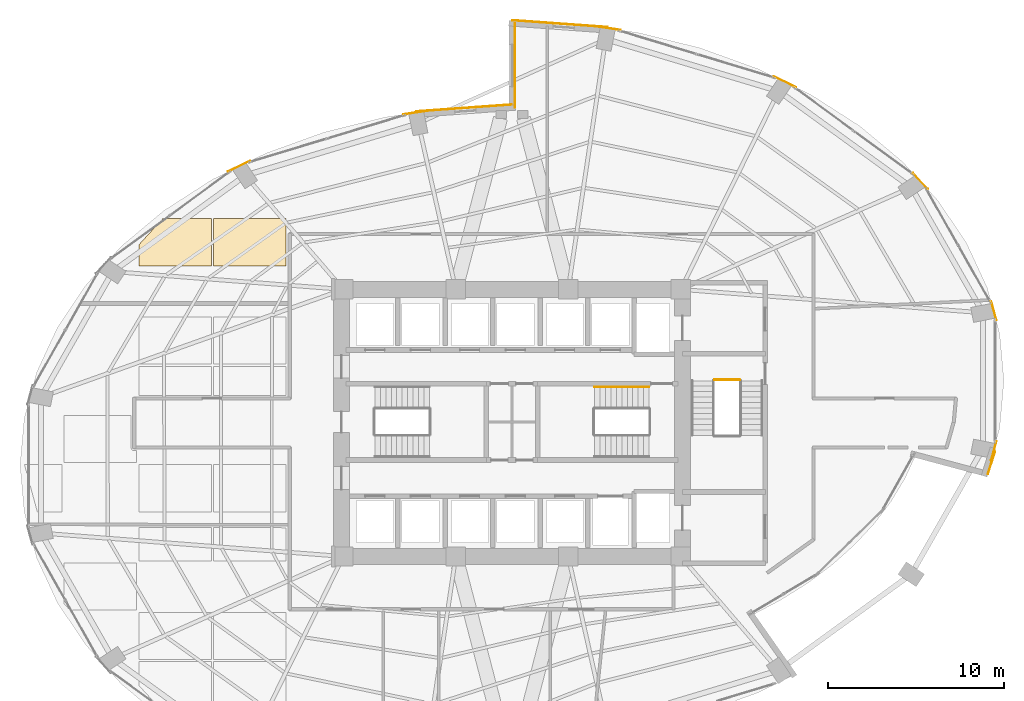
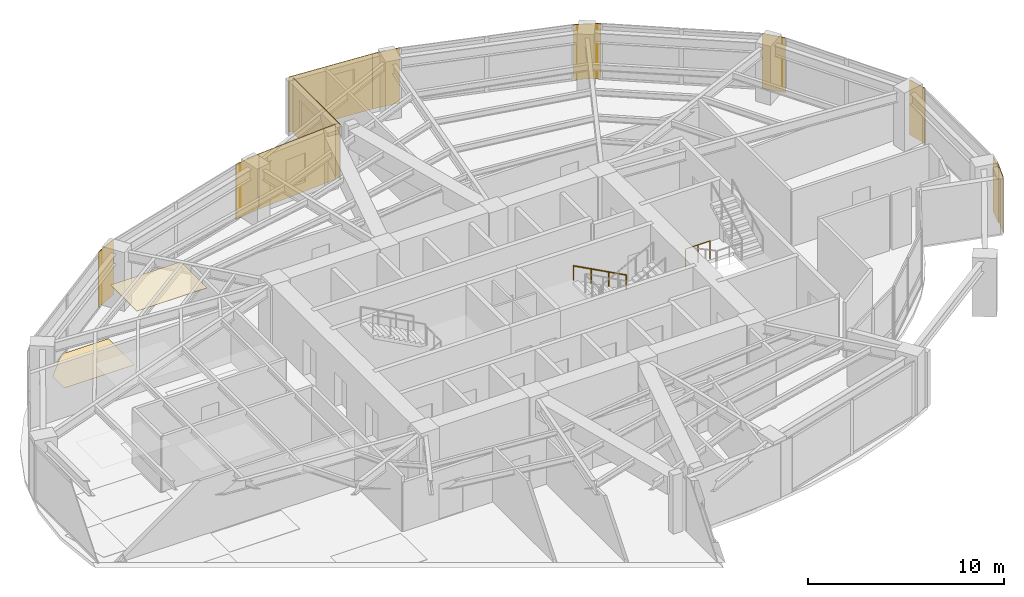
# One storey, part 24 of 24: 13 coverings, 2 railings.
"""IFC4 building model written with IfcOpenShell, lengths in metres."""

from ifc_helpers import new_model, si_unit, direction, frame, origin, origin_2d, place, context, subcontext, project, spatial, polyline, rectangle, circle, outline, extrude, material, layer, layer_set, type_object, element, save


model = new_model("IFC4")

# Units and contexts
model_context = context("Model", 3, precision=1e-05, world=origin(), true_north=direction((0.0, 1.0)))
body_context = subcontext(model_context, "Body", "Model", "MODEL_VIEW")
ifc_project = project(units=[si_unit("LENGTHUNIT", "METRE"), si_unit("AREAUNIT", "SQUARE_METRE"), si_unit("VOLUMEUNIT", "CUBIC_METRE"), si_unit("PLANEANGLEUNIT", "RADIAN"), si_unit("MASSUNIT", "GRAM", prefix="KILO")], contexts=[model_context])

# Site, building, storey
site_placement = place(None, origin())
site = spatial("IfcSite", under=ifc_project, at=site_placement, CompositionType="ELEMENT")
building_placement = place(site_placement, origin())
building = spatial("IfcBuilding", under=site, at=building_placement, Name="Lazwardi Medical Tower", CompositionType="ELEMENT")
storey_placement = place(building_placement, frame((0.0, 0.0, 61.679931640625)))
storey = spatial("IfcBuildingStorey", under=building, at=storey_placement, Name="L15", CompositionType="ELEMENT", Elevation=61.679931640625)

# Coverings
ifc_material_1 = material(Name="Anodised bronze aluminium cassette cladding", Category="aluminium")
ifc_layer_1 = layer(ifc_material_1, 0.030029296875)
ifc_layer_set_1 = layer_set([ifc_layer_1], Name="Anodised bronze aluminium cassette cladding")
covering_type_1 = type_object("IfcCoveringType", Name="COV-CLD-BRZ", PredefinedType="CLADDING", material=ifc_layer_set_1)
for number, where, z_axis, x_axis, name in (
    (1, (63.420654296875, 26.408203125, 0.0), (0.0, 0.0, 1.0), (0.262283496593, 0.964990863902, 0.0), "L15 Mega-column bronze cassette cover M04"),
    (2, (63.420654296875, 34.3916015625, 0.0), (0.0, 0.0, 1.0), (-0.262283496593, 0.964990863902, 0.0), "L15 Mega-column bronze cassette cover M05"),
):
    element("IfcCovering", number, at=place(storey_placement, frame(where, z_axis=z_axis, x_axis=x_axis)), inside=storey, type_object=covering_type_1, Name=name, PredefinedType="CLADDING", context=body_context, shape_type="SweptSolid", body=[
        extrude(rectangle(XDim=1.12548828125, YDim=0.030029296875, at=origin_2d()), origin(), (0.0, 0.0, 1.0), 3.427978515625),
    ])
covering_1_placement = place(storey_placement, frame((59.24609375, 41.767333984375, 0.0), z_axis=(0.0, 0.0, 1.0), x_axis=(-0.674252120961, 0.738501237223, 0.0)))
element("IfcCovering", 3, at=covering_1_placement, inside=storey, type_object=covering_type_1, Name="L15 Mega-column bronze cassette cover M06", PredefinedType="CLADDING", context=body_context, shape_type="SweptSolid", body=[
    extrude(rectangle(XDim=1.24658203125, YDim=0.030029296875, at=origin_2d()), origin(), (0.0, 0.0, 1.0), 3.427978515625),
])
covering_2_placement = place(storey_placement, frame((51.532470703125, 47.412353515625, 0.0), z_axis=(0.0, 0.0, 1.0), x_axis=(-0.898334492373, 0.439312121178, 0.0)))
element("IfcCovering", 4, at=covering_2_placement, inside=storey, type_object=covering_type_1, Name="L15 Mega-column bronze cassette cover M07", PredefinedType="CLADDING", context=body_context, shape_type="SweptSolid", body=[
    extrude(rectangle(XDim=1.400390625, YDim=0.030029296875, at=origin_2d()), origin(), (0.0, 0.0, 1.0), 3.427978515625),
])
for number, where, z_axis, x_axis, name in (
    (5, (41.454345703125, 50.46728515625, 0.0), (0.0, 0.0, 1.0), (-0.98957259946, 0.144034962415, 0.0), "L15 Mega-column bronze cassette cover M08"),
    (6, (30.545654296875, 45.66748046875, 0.0), (0.0, 0.0, 1.0), (-0.98957259946, -0.144034962415, 0.0), "L15 Mega-column bronze cassette cover M09"),
):
    element("IfcCovering", number, at=place(storey_placement, frame(where, z_axis=z_axis, x_axis=x_axis)), inside=storey, type_object=covering_type_1, Name=name, PredefinedType="CLADDING", context=body_context, shape_type="SweptSolid", body=[
        extrude(rectangle(XDim=1.49951171875, YDim=0.030029296875, at=origin_2d()), origin(), (0.0, 0.0, 1.0), 3.427978515625),
    ])
covering_3_placement = place(storey_placement, frame((20.467529296875, 42.6123046875, 0.0), z_axis=(0.0, 0.0, 1.0), x_axis=(-0.898334492373, -0.439312121178, 0.0)))
element("IfcCovering", 7, at=covering_3_placement, inside=storey, type_object=covering_type_1, Name="L15 Mega-column bronze cassette cover M10", PredefinedType="CLADDING", context=body_context, shape_type="SweptSolid", body=[
    extrude(rectangle(XDim=1.400390625, YDim=0.030029296875, at=origin_2d()), origin(), (0.0, 0.0, 1.0), 3.427978515625),
])
ifc_material_2 = material(Name="Turquoise glazed ceramic tilework cladding", Category="masonry")
ifc_layer_2 = layer(ifc_material_2, 0.034912109375)
ifc_layer_set_2 = layer_set([ifc_layer_2], Name="Turquoise glazed ceramic tilework cladding")
covering_type_2 = type_object("IfcCoveringType", Name="COV-CLD-TRQ", PredefinedType="CLADDING", material=ifc_layer_set_2)
covering_4_placement = place(storey_placement, frame((38.728271484375, 50.719482421875, 0.0), z_axis=(0.0, 0.0, 1.0), x_axis=(-0.997421404513, 0.071767275412, 0.0)))
element("IfcCovering", 8, at=covering_4_placement, inside=storey, type_object=covering_type_2, Name="L15 Turquoise glazed ceramic tilework cladding", PredefinedType="CLADDING", context=body_context, shape_type="SweptSolid", body=[
    extrude(rectangle(XDim=5.4453125, YDim=0.034912109375, at=origin_2d()), origin(), (0.0, 0.0, 1.0), 3.427978515625),
])
covering_5_placement = place(storey_placement, frame((33.271484375, 45.919677734375, 0.0), z_axis=(0.0, 0.0, 1.0), x_axis=(-0.997420903458, -0.071774238726, 0.0)))
element("IfcCovering", 9, at=covering_5_placement, inside=storey, type_object=covering_type_2, Name="L15 Turquoise glazed ceramic tilework cladding", PredefinedType="CLADDING", context=body_context, shape_type="SweptSolid", body=[
    extrude(rectangle(XDim=5.44482421875, YDim=0.034912109375, at=origin_2d()), origin(), (0.0, 0.0, 1.0), 3.427978515625),
])
covering_6_placement = place(storey_placement, frame((36.175537109375, 48.340087890625, 0.0), z_axis=(0.0, 0.0, 1.0), x_axis=(0.0, -1.0, 0.0)))
element("IfcCovering", 10, at=covering_6_placement, inside=storey, type_object=covering_type_2, Name="L15 Turquoise glazed ceramic tilework iwan panel", PredefinedType="CLADDING", context=body_context, shape_type="SweptSolid", body=[
    extrude(rectangle(XDim=4.800048828125, YDim=0.034912109375, at=origin_2d()), origin(), (0.0, 0.0, 1.0), 3.427978515625),
])
covering_7_placement = place(storey_placement, frame((63.284912109375, 25.725830078125, 0.0), z_axis=(0.0, 0.0, 1.0), x_axis=(0.303954912629, 0.952686418025, 0.0)))
element("IfcCovering", 11, at=covering_7_placement, inside=storey, type_object=covering_type_2, Name="L15 Turquoise glazed ceramic tilework cladding", PredefinedType="CLADDING", context=body_context, shape_type="SweptSolid", body=[
    extrude(rectangle(XDim=1.362060546875, YDim=0.034912109375, at=origin_2d()), origin(), (0.0, 0.0, 1.0), 3.427978515625),
])
ifc_material_3 = material(Name="Acoustic mineral fibre tile")
ifc_layer_3 = layer(ifc_material_3, 0.02490234375)
ifc_layer_set_3 = layer_set([ifc_layer_3], Name="Acoustic mineral fibre tile")
covering_type_3 = type_object("IfcCoveringType", Name="COV-CLG-01", PredefinedType="CEILING", material=ifc_layer_set_3)
covering_8_placement = place(storey_placement, frame((0.0, 0.0, 3.282958984375)))
element("IfcCovering", 12, at=covering_8_placement, inside=storey, type_object=covering_type_3, Name="L15 Clinical Acoustic Ceiling 9", PredefinedType="CEILING", context=body_context, shape_type="SweptSolid", body=[
    extrude(outline(polyline([(23.142822265625, 36.9423828125), (23.142822265625, 39.62255859375), (19.012939453125, 39.62255859375), (19.012939453125, 36.9423828125), (23.142822265625, 36.9423828125)])), origin(), (0.0, 0.0, 1.0), 0.025146484375),
])
ifc_material_4 = material(Name="Anti-static hospital vinyl sheet flooring")
ifc_layer_4 = layer(ifc_material_4, 0.014892578125)
ifc_layer_set_4 = layer_set([ifc_layer_4], Name="Anti-static hospital vinyl sheet flooring")
covering_type_4 = type_object("IfcCoveringType", Name="COV-FLR-01", PredefinedType="FLOORING", material=ifc_layer_set_4)
covering_9_placement = place(storey_placement, origin())
element("IfcCovering", 13, at=covering_9_placement, inside=storey, type_object=covering_type_4, Name="L15 Clinical Vinyl Flooring 7", PredefinedType="FLOORING", context=body_context, shape_type="SweptSolid", body=[
    extrude(outline(polyline([(16.120361328125, 39.62255859375), (14.762939453125, 38.138671875), (14.762939453125, 36.9423828125), (18.892822265625, 36.9423828125), (18.892822265625, 39.62255859375), (16.120361328125, 39.62255859375)])), origin(), (0.0, 0.0, 1.0), 0.01513671875),
])

# Railings
ifc_material_5 = material(Name="Stainless steel Grade 316", Category="steel")
railing_type_1 = type_object("IfcRailingType", Name="RLG-GRD-1150", PredefinedType="GUARDRAIL", material=ifc_material_5)
railing_1_placement = place(storey_placement, frame((47.52001953125, 30.449951171875, 0.0)))
element("IfcRailing", 14, at=railing_1_placement, inside=storey, type_object=railing_type_1, Name="L15 ST3 stair guard 4", PredefinedType="GUARDRAIL", context=body_context, shape_type="SweptSolid", body=[
    extrude(circle(Radius=0.02392578125, at=origin_2d()), frame((0.0, 0.0, 1.1259765625), z_axis=(1.0, 0.0, 0.0), x_axis=(0.0, 1.0, 0.0)), (0.0, 0.0, 1.0), 1.43994140625),
    extrude(circle(Radius=0.02099609375, at=origin_2d()), origin(), (0.0, 0.0, 1.0), 1.099853515625),
    extrude(circle(Radius=0.02099609375, at=origin_2d()), frame((0.719970703125, 0.0, 0.0)), (0.0, 0.0, 1.0), 1.099853515625),
    extrude(circle(Radius=0.02099609375, at=origin_2d()), frame((1.43994140625, 0.0, 0.0)), (0.0, 0.0, 1.0), 1.099853515625),
])
railing_type_2 = type_object("IfcRailingType", Name="RLG-HND-920", PredefinedType="HANDRAIL", material=ifc_material_5)
railing_2_placement = place(storey_placement, frame((43.800048828125, 30.050048828125, 0.165771484375)))
element("IfcRailing", 15, at=railing_2_placement, inside=storey, type_object=railing_type_2, Name="L15 ST2 stair handrail 1", PredefinedType="HANDRAIL", context=body_context, shape_type="SweptSolid", body=[
    extrude(circle(Radius=0.02392578125, at=origin_2d()), frame((0.0, 0.0, 0.8857421875), z_axis=(-0.881783298633, 0.0, 0.471654761719), x_axis=(0.0, -1.0, 0.0)), (0.0, 0.0, 1.0), 3.515625),
    extrude(circle(Radius=0.02099609375, at=origin_2d()), origin(), (0.0, 0.0, 1.0), 0.85986328125),
    extrude(circle(Radius=0.02099609375, at=origin_2d()), frame((-1.033447265625, 0.0, 0.552734375)), (0.0, 0.0, 1.0), 0.85986328125),
    extrude(circle(Radius=0.02099609375, at=origin_2d()), frame((-2.066650390625, 0.0, 1.10546875)), (0.0, 0.0, 1.0), 0.85986328125),
    extrude(circle(Radius=0.02099609375, at=origin_2d()), frame((-3.10009765625, 0.0, 1.658203125)), (0.0, 0.0, 1.0), 0.85986328125),
])

save(model, "model.ifc")
